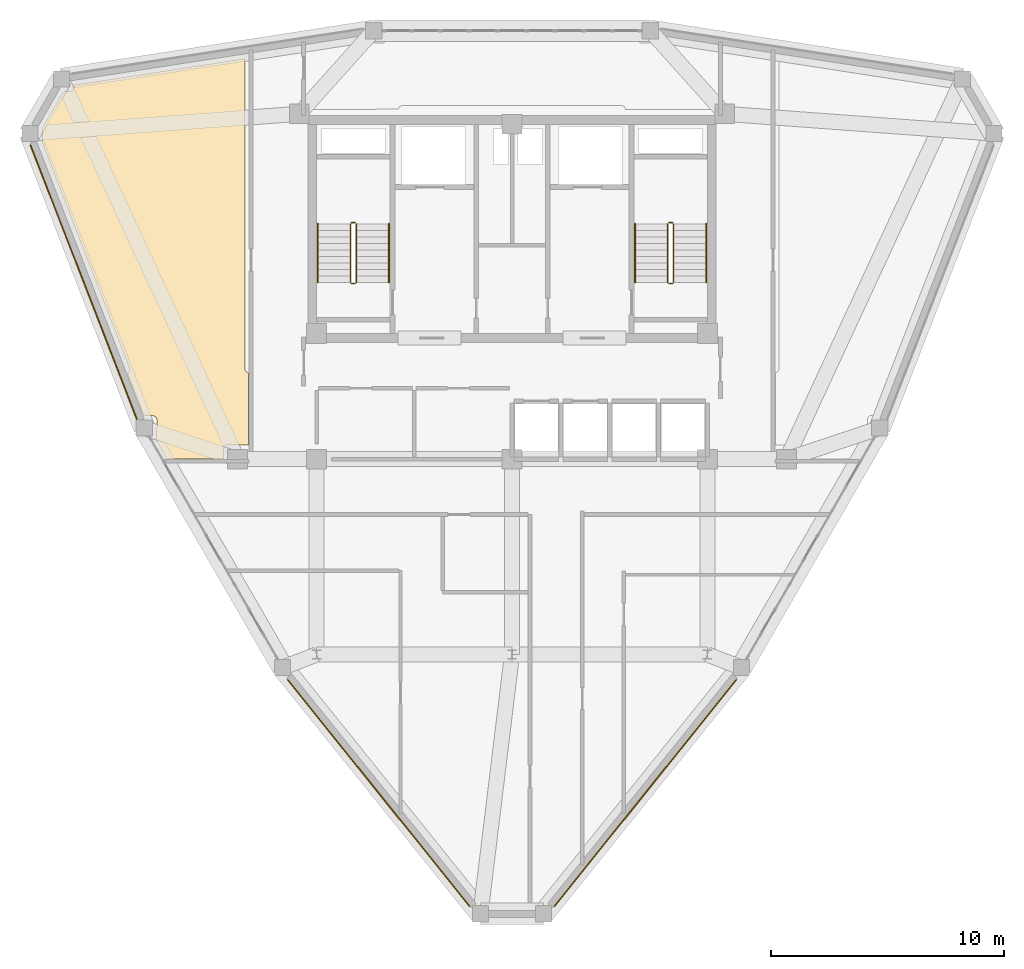
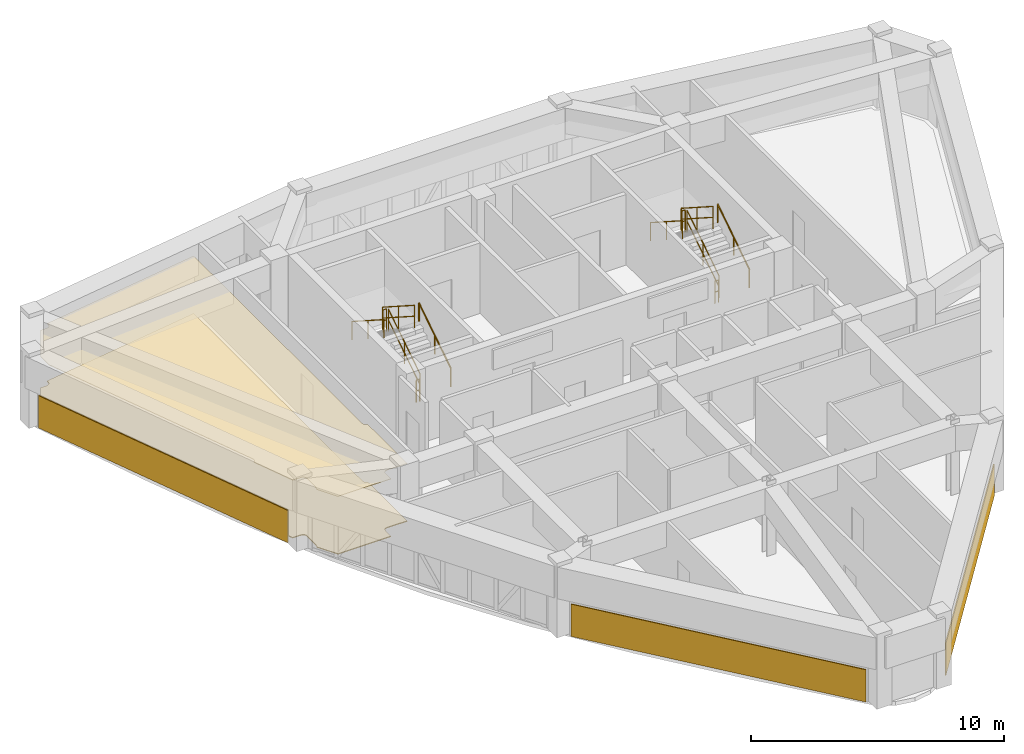
# One storey, part 13 of 14: 12 railings, 5 coverings.
"""IFC4 building model written with IfcOpenShell, lengths in metres."""

from ifc_helpers import new_model, si_unit, derived_unit, direction, frame, origin, origin_2d, place, context, subcontext, project, spatial, polyline, circle, outline, extrude, material, layer, layer_set, type_object, element, save


model = new_model("IFC4")

# Units and contexts
model_context = context("Model", 3, precision=1e-05, world=origin(), true_north=direction((0.0, 1.0)))
body_context = subcontext(model_context, "Body", "Model", "MODEL_VIEW")
ifc_project = project(units=[si_unit("LENGTHUNIT", "METRE"), si_unit("AREAUNIT", "SQUARE_METRE"), si_unit("VOLUMEUNIT", "CUBIC_METRE"), si_unit("PLANEANGLEUNIT", "RADIAN"), si_unit("MASSUNIT", "GRAM", prefix="KILO"), derived_unit("THERMALTRANSMITTANCEUNIT", [(si_unit("POWERUNIT", "WATT"), 1), (si_unit("LENGTHUNIT", "METRE"), -2), (si_unit("THERMODYNAMICTEMPERATUREUNIT", "KELVIN"), -1)])], contexts=[model_context])

# Site, building, storey
site_placement = place(None, origin())
site = spatial("IfcSite", under=ifc_project, at=site_placement, CompositionType="ELEMENT")
building_placement = place(site_placement, origin())
building = spatial("IfcBuilding", under=site, at=building_placement, Name="Korsvarv Bourse and Concert Hall", CompositionType="ELEMENT")
storey_placement = place(building_placement, frame((0.0, 0.0, 253.800048828125)))
storey = spatial("IfcBuildingStorey", under=building, at=storey_placement, Name="L66", CompositionType="ELEMENT", Elevation=253.800048828125)

# Coverings
ifc_material_1 = material(Name="Perforated mineral-wool and birch acoustic baffle ceiling", Category="wood")
ifc_layer_1 = layer(ifc_material_1, 0.02490234375)
ifc_layer_set_1 = layer_set([ifc_layer_1], Name="Perforated mineral-wool and birch acoustic baffle ceiling")
covering_type_1 = type_object("IfcCoveringType", Name="COV-CEIL-1", PredefinedType="CEILING", material=ifc_layer_set_1)
covering_1_placement = place(storey_placement, frame((0.0, 0.0, 2.7900390625)))
element("IfcCovering", 1, at=covering_1_placement, inside=storey, type_object=covering_type_1, Name="L66 acoustic baffle ceiling 1", PredefinedType="CEILING", context=body_context, shape_type="SweptSolid", body=[
    extrude(outline(polyline([(15.80078125, 46.001708984375), (15.8046875, 46.036376953125), (15.814208984375, 46.653076171875), (16.71240234375, 48.208984375), (16.9814453125, 48.208984375), (17.015625, 48.21240234375), (17.048583984375, 48.221923828125), (17.079345703125, 48.23779296875), (17.106201171875, 48.25927734375), (17.128662109375, 48.285400390625), (17.145751953125, 48.315185546875), (17.15673828125, 48.347900390625), (17.161376953125, 48.3818359375), (17.16552734375, 48.4873046875), (24.52001953125, 49.623779296875), (24.52001953125, 36.2900390625), (24.523681640625, 36.25390625), (24.53466796875, 36.218994140625), (24.55224609375, 36.187255859375), (24.575927734375, 36.15966796875), (24.604736328125, 36.13720703125), (24.637451171875, 36.12109375), (24.672607421875, 36.112060546875), (24.679931640625, 32.9990234375), (24.654541015625, 33.00390625), (23.777099609375, 33.014892578125), (23.741943359375, 33.011962890625), (23.708251953125, 33.002197265625), (23.677001953125, 32.986083984375), (23.6494140625, 32.964111328125), (23.626708984375, 32.937255859375), (23.60986328125, 32.906494140625), (23.59912109375, 32.872802734375), (23.594970703125, 32.837890625), (23.587890625, 32.409912109375), (21.243896484375, 32.409912109375), (21.206787109375, 32.40625), (21.173095703125, 32.3955078125), (20.6748046875, 33.258544921875), (20.689208984375, 33.276611328125), (20.705810546875, 33.30712890625), (20.71630859375, 33.340576171875), (20.72021484375, 33.375244140625), (20.730224609375, 34.085205078125), (20.727294921875, 34.120361328125), (20.7177734375, 34.154052734375), (20.70166015625, 34.185302734375), (20.6796875, 34.212890625), (20.65283203125, 34.235595703125), (20.622314453125, 34.252685546875), (20.5888671875, 34.263671875), (20.553955078125, 34.267822265625), (20.1748046875, 34.275390625), (19.45849609375, 36.1201171875), (19.480224609375, 36.1337890625), (19.506591796875, 36.157958984375), (19.52783203125, 36.18701171875), (19.54296875, 36.2197265625), (19.551025390625, 36.2548828125), (19.55224609375, 36.290771484375), (19.546142578125, 36.326171875), (15.80078125, 46.001708984375)])), origin(), (0.0, 0.0, 1.0), 0.02490234375),
])
ifc_material_2 = material(Name="Warm iron-oxide extruded terracotta rainscreen tile", Category="ceramic")
ifc_layer_2 = layer(ifc_material_2, 0.044921875)
ifc_layer_set_2 = layer_set([ifc_layer_2], Name="Warm iron-oxide extruded terracotta rainscreen tile")
covering_type_2 = type_object("IfcCoveringType", Name="COV-CLD-TC", PredefinedType="CLADDING", material=ifc_layer_set_2)
covering_2_placement = place(storey_placement, origin())
element("IfcCovering", 2, at=covering_2_placement, inside=storey, type_object=covering_type_2, Name="L66 fluted terracotta cladding panel EW-L66-B06", PredefinedType="CLADDING", context=body_context, shape_type="SweptSolid", body=[
    extrude(outline(polyline([(15.315673828125, 45.920654296875), (19.897705078125, 34.118408203125), (19.855712890625, 34.102294921875), (15.273681640625, 45.904296875), (15.315673828125, 45.920654296875)])), origin(), (0.0, 0.0, 1.0), 1.56005859375),
])
covering_3_placement = place(storey_placement, origin())
element("IfcCovering", 3, at=covering_3_placement, inside=storey, type_object=covering_type_2, Name="L66 fluted terracotta cladding panel EW-L66-B08", PredefinedType="CLADDING", context=body_context, shape_type="SweptSolid", body=[
    extrude(outline(polyline([(26.3662109375, 22.9375), (34.202880859375, 13.184814453125), (34.167724609375, 13.156494140625), (26.3310546875, 22.909423828125), (26.3662109375, 22.9375)])), origin(), (0.0, 0.0, 1.0), 1.56005859375),
])
covering_4_placement = place(storey_placement, origin())
element("IfcCovering", 4, at=covering_4_placement, inside=storey, type_object=covering_type_2, Name="L66 fluted terracotta cladding panel EW-L66-B10", PredefinedType="CLADDING", context=body_context, shape_type="SweptSolid", body=[
    extrude(outline(polyline([(37.797119140625, 13.184814453125), (45.6337890625, 22.9375), (45.6689453125, 22.909423828125), (37.832275390625, 13.156494140625), (37.797119140625, 13.184814453125)])), origin(), (0.0, 0.0, 1.0), 1.56005859375),
])
ifc_material_3 = material(Name="Calcium-sulphate raised access trading floor with Nordic oak top", Category="wood")
ifc_layer_3 = layer(ifc_material_3, 0.0400390625)
ifc_layer_set_3 = layer_set([ifc_layer_3], Name="Calcium-sulphate raised access trading floor with Nordic oak top")
covering_type_3 = type_object("IfcCoveringType", Name="COV-FLOR-1", PredefinedType="FLOORING", material=ifc_layer_set_3)
covering_5_placement = place(storey_placement, origin())
element("IfcCovering", 5, at=covering_5_placement, inside=storey, type_object=covering_type_3, Name="L66 raised access oak floor finish 1", PredefinedType="FLOORING", context=body_context, shape_type="SweptSolid", body=[
    extrude(outline(polyline([(15.80078125, 46.001708984375), (15.8046875, 46.036376953125), (15.814208984375, 46.653076171875), (16.71240234375, 48.208984375), (16.9814453125, 48.208984375), (17.015625, 48.21240234375), (17.048583984375, 48.221923828125), (17.079345703125, 48.23779296875), (17.106201171875, 48.25927734375), (17.128662109375, 48.285400390625), (17.145751953125, 48.315185546875), (17.15673828125, 48.347900390625), (17.161376953125, 48.3818359375), (17.16552734375, 48.4873046875), (24.52001953125, 49.623779296875), (24.52001953125, 36.2900390625), (24.523681640625, 36.25390625), (24.53466796875, 36.218994140625), (24.55224609375, 36.187255859375), (24.575927734375, 36.15966796875), (24.604736328125, 36.13720703125), (24.637451171875, 36.12109375), (24.672607421875, 36.112060546875), (24.679931640625, 32.9990234375), (24.654541015625, 33.00390625), (23.777099609375, 33.014892578125), (23.741943359375, 33.011962890625), (23.708251953125, 33.002197265625), (23.677001953125, 32.986083984375), (23.6494140625, 32.964111328125), (23.626708984375, 32.937255859375), (23.60986328125, 32.906494140625), (23.59912109375, 32.872802734375), (23.594970703125, 32.837890625), (23.587890625, 32.409912109375), (21.243896484375, 32.409912109375), (21.206787109375, 32.40625), (21.173095703125, 32.3955078125), (20.6748046875, 33.258544921875), (20.689208984375, 33.276611328125), (20.705810546875, 33.30712890625), (20.71630859375, 33.340576171875), (20.72021484375, 33.375244140625), (20.730224609375, 34.085205078125), (20.727294921875, 34.120361328125), (20.7177734375, 34.154052734375), (20.70166015625, 34.185302734375), (20.6796875, 34.212890625), (20.65283203125, 34.235595703125), (20.622314453125, 34.252685546875), (20.5888671875, 34.263671875), (20.553955078125, 34.267822265625), (20.1748046875, 34.275390625), (19.45849609375, 36.1201171875), (19.480224609375, 36.1337890625), (19.506591796875, 36.157958984375), (19.52783203125, 36.18701171875), (19.54296875, 36.2197265625), (19.551025390625, 36.2548828125), (19.55224609375, 36.290771484375), (19.546142578125, 36.326171875), (15.80078125, 46.001708984375)])), origin(), (0.0, 0.0, 1.0), 0.0400390625),
])

# Railings
ifc_material_4 = material(Name="Painted Steel S355 stair well guardrail", Category="steel")
railing_type_1 = type_object("IfcRailingType", Name="RL-ST-GRD", PredefinedType="GUARDRAIL", material=ifc_material_4)
railing_1_placement = place(storey_placement, frame((29.31005859375, 40.0, 0.179931640625)))
element("IfcRailing", 6, at=railing_1_placement, inside=storey, type_object=railing_type_1, Name="L66 ST-T1 stair guard 1", PredefinedType="GUARDRAIL", context=body_context, shape_type="SweptSolid", body=[
    extrude(circle(Radius=0.02392578125, at=origin_2d()), frame((0.0, 0.0, 1.076171875), z_axis=(0.0, 0.841162588446, 0.540782303519), x_axis=(-1.0, 0.0, 0.0)), (0.0, 0.0, 1.0), 2.995849609375),
    extrude(circle(Radius=0.02392578125, at=origin_2d()), frame((0.0, 0.0, 0.550048828125), z_axis=(0.0, 0.841162588446, 0.540782303519), x_axis=(-1.0, 0.0, 0.0)), (0.0, 0.0, 1.0), 2.995849609375),
    extrude(circle(Radius=0.02099609375, at=origin_2d()), origin(), (0.0, 0.0, 1.0), 1.052001953125),
    extrude(circle(Radius=0.02099609375, at=origin_2d()), frame((0.0, 1.260009765625, 0.81005859375)), (0.0, 0.0, 1.0), 1.052001953125),
    extrude(circle(Radius=0.02099609375, at=origin_2d()), frame((0.0, 2.52001953125, 1.6201171875)), (0.0, 0.0, 1.0), 1.052001953125),
])
railing_2_placement = place(storey_placement, frame((29.260009765625, 42.570068359375, 1.800048828125)))
element("IfcRailing", 7, at=railing_2_placement, inside=storey, type_object=railing_type_1, Name="L66 ST-T1 stair guard 2", PredefinedType="GUARDRAIL", context=body_context, shape_type="SweptSolid", body=[
    extrude(circle(Radius=0.02392578125, at=origin_2d()), frame((0.0, 0.0, 1.076171875), z_axis=(-1.0, 0.0, 0.0), x_axis=(0.0, -1.0, 0.0)), (0.0, 0.0, 1.0), 0.159912109375),
    extrude(circle(Radius=0.02392578125, at=origin_2d()), frame((0.0, 0.0, 0.550048828125), z_axis=(-1.0, 0.0, 0.0), x_axis=(0.0, -1.0, 0.0)), (0.0, 0.0, 1.0), 0.159912109375),
    extrude(circle(Radius=0.02099609375, at=origin_2d()), origin(), (0.0, 0.0, 1.0), 1.052001953125),
    extrude(circle(Radius=0.02099609375, at=origin_2d()), frame((-0.159912109375, 0.0, 0.0)), (0.0, 0.0, 1.0), 1.052001953125),
])
railing_3_placement = place(storey_placement, frame((29.050048828125, 42.52001953125, 1.97998046875)))
element("IfcRailing", 8, at=railing_3_placement, inside=storey, type_object=railing_type_1, Name="L66 ST-T1 stair guard 3", PredefinedType="GUARDRAIL", context=body_context, shape_type="SweptSolid", body=[
    extrude(circle(Radius=0.02392578125, at=origin_2d()), frame((0.0, 0.0, 1.076171875), z_axis=(0.0, -0.841199657755, 0.540724639528), x_axis=(1.0, 0.0, 0.0)), (0.0, 0.0, 1.0), 2.995849609375),
    extrude(circle(Radius=0.02392578125, at=origin_2d()), frame((0.0, 0.0, 0.550048828125), z_axis=(0.0, -0.841199657755, 0.540724639528), x_axis=(1.0, 0.0, 0.0)), (0.0, 0.0, 1.0), 2.995849609375),
    extrude(circle(Radius=0.02099609375, at=origin_2d()), origin(), (0.0, 0.0, 1.0), 1.052001953125),
    extrude(circle(Radius=0.02099609375, at=origin_2d()), frame((0.0, -1.260009765625, 0.81005859375)), (0.0, 0.0, 1.0), 1.052001953125),
    extrude(circle(Radius=0.02099609375, at=origin_2d()), frame((0.0, -2.52001953125, 1.619873046875)), (0.0, 0.0, 1.0), 1.052001953125),
])
railing_4_placement = place(storey_placement, frame((29.260009765625, 39.949951171875, 0.0)))
element("IfcRailing", 9, at=railing_4_placement, inside=storey, type_object=railing_type_1, Name="L66 ST-T1 stair guard 4", PredefinedType="GUARDRAIL", context=body_context, shape_type="SweptSolid", body=[
    extrude(circle(Radius=0.02392578125, at=origin_2d()), frame((0.0, 0.0, 1.076171875), z_axis=(-1.0, 0.0, 0.0), x_axis=(0.0, -1.0, 0.0)), (0.0, 0.0, 1.0), 0.159912109375),
    extrude(circle(Radius=0.02392578125, at=origin_2d()), frame((0.0, 0.0, 0.550048828125), z_axis=(-1.0, 0.0, 0.0), x_axis=(0.0, -1.0, 0.0)), (0.0, 0.0, 1.0), 0.159912109375),
    extrude(circle(Radius=0.02099609375, at=origin_2d()), origin(), (0.0, 0.0, 1.0), 1.052001953125),
    extrude(circle(Radius=0.02099609375, at=origin_2d()), frame((-0.159912109375, 0.0, 0.0)), (0.0, 0.0, 1.0), 1.052001953125),
])
railing_5_placement = place(storey_placement, frame((42.949951171875, 40.0, 0.179931640625)))
element("IfcRailing", 10, at=railing_5_placement, inside=storey, type_object=railing_type_1, Name="L66 ST-T2 stair guard 1", PredefinedType="GUARDRAIL", context=body_context, shape_type="SweptSolid", body=[
    extrude(circle(Radius=0.02392578125, at=origin_2d()), frame((0.0, 0.0, 1.076171875), z_axis=(0.0, 0.841162588446, 0.540782303519), x_axis=(-1.0, 0.0, 0.0)), (0.0, 0.0, 1.0), 2.995849609375),
    extrude(circle(Radius=0.02392578125, at=origin_2d()), frame((0.0, 0.0, 0.550048828125), z_axis=(0.0, 0.841162588446, 0.540782303519), x_axis=(-1.0, 0.0, 0.0)), (0.0, 0.0, 1.0), 2.995849609375),
    extrude(circle(Radius=0.02099609375, at=origin_2d()), origin(), (0.0, 0.0, 1.0), 1.052001953125),
    extrude(circle(Radius=0.02099609375, at=origin_2d()), frame((0.0, 1.260009765625, 0.81005859375)), (0.0, 0.0, 1.0), 1.052001953125),
    extrude(circle(Radius=0.02099609375, at=origin_2d()), frame((0.0, 2.52001953125, 1.6201171875)), (0.0, 0.0, 1.0), 1.052001953125),
])
railing_6_placement = place(storey_placement, frame((42.89990234375, 42.570068359375, 1.800048828125)))
element("IfcRailing", 11, at=railing_6_placement, inside=storey, type_object=railing_type_1, Name="L66 ST-T2 stair guard 2", PredefinedType="GUARDRAIL", context=body_context, shape_type="SweptSolid", body=[
    extrude(circle(Radius=0.02392578125, at=origin_2d()), frame((0.0, 0.0, 1.076171875), z_axis=(-1.0, 0.0, 0.0), x_axis=(0.0, -1.0, 0.0)), (0.0, 0.0, 1.0), 0.159912109375),
    extrude(circle(Radius=0.02392578125, at=origin_2d()), frame((0.0, 0.0, 0.550048828125), z_axis=(-1.0, 0.0, 0.0), x_axis=(0.0, -1.0, 0.0)), (0.0, 0.0, 1.0), 0.159912109375),
    extrude(circle(Radius=0.02099609375, at=origin_2d()), origin(), (0.0, 0.0, 1.0), 1.052001953125),
    extrude(circle(Radius=0.02099609375, at=origin_2d()), frame((-0.159912109375, 0.0, 0.0)), (0.0, 0.0, 1.0), 1.052001953125),
])
railing_7_placement = place(storey_placement, frame((42.68994140625, 42.52001953125, 1.97998046875)))
element("IfcRailing", 12, at=railing_7_placement, inside=storey, type_object=railing_type_1, Name="L66 ST-T2 stair guard 3", PredefinedType="GUARDRAIL", context=body_context, shape_type="SweptSolid", body=[
    extrude(circle(Radius=0.02392578125, at=origin_2d()), frame((0.0, 0.0, 1.076171875), z_axis=(0.0, -0.841199657755, 0.540724639528), x_axis=(1.0, 0.0, 0.0)), (0.0, 0.0, 1.0), 2.995849609375),
    extrude(circle(Radius=0.02392578125, at=origin_2d()), frame((0.0, 0.0, 0.550048828125), z_axis=(0.0, -0.841199657755, 0.540724639528), x_axis=(1.0, 0.0, 0.0)), (0.0, 0.0, 1.0), 2.995849609375),
    extrude(circle(Radius=0.02099609375, at=origin_2d()), origin(), (0.0, 0.0, 1.0), 1.052001953125),
    extrude(circle(Radius=0.02099609375, at=origin_2d()), frame((0.0, -1.260009765625, 0.81005859375)), (0.0, 0.0, 1.0), 1.052001953125),
    extrude(circle(Radius=0.02099609375, at=origin_2d()), frame((0.0, -2.52001953125, 1.619873046875)), (0.0, 0.0, 1.0), 1.052001953125),
])
railing_8_placement = place(storey_placement, frame((42.89990234375, 39.949951171875, 0.0)))
element("IfcRailing", 13, at=railing_8_placement, inside=storey, type_object=railing_type_1, Name="L66 ST-T2 stair guard 4", PredefinedType="GUARDRAIL", context=body_context, shape_type="SweptSolid", body=[
    extrude(circle(Radius=0.02392578125, at=origin_2d()), frame((0.0, 0.0, 1.076171875), z_axis=(-1.0, 0.0, 0.0), x_axis=(0.0, -1.0, 0.0)), (0.0, 0.0, 1.0), 0.159912109375),
    extrude(circle(Radius=0.02392578125, at=origin_2d()), frame((0.0, 0.0, 0.550048828125), z_axis=(-1.0, 0.0, 0.0), x_axis=(0.0, -1.0, 0.0)), (0.0, 0.0, 1.0), 0.159912109375),
    extrude(circle(Radius=0.02099609375, at=origin_2d()), origin(), (0.0, 0.0, 1.0), 1.052001953125),
    extrude(circle(Radius=0.02099609375, at=origin_2d()), frame((-0.159912109375, 0.0, 0.0)), (0.0, 0.0, 1.0), 1.052001953125),
])
ifc_material_5 = material(Name="Brushed stainless Steel S355 tubular handrail", Category="steel")
railing_type_2 = type_object("IfcRailingType", Name="RL-ST-HND", PredefinedType="HANDRAIL", material=ifc_material_5)
railing_9_placement = place(storey_placement, frame((30.7099609375, 40.0, 0.179931640625)))
element("IfcRailing", 14, at=railing_9_placement, inside=storey, type_object=railing_type_2, Name="L66 ST-T1 stair handrail 1", PredefinedType="HANDRAIL", context=body_context, shape_type="SweptSolid", body=[
    extrude(circle(Radius=0.02392578125, at=origin_2d()), frame((0.0, 0.0, 0.8759765625), z_axis=(0.0, 0.841162588446, 0.540782303519), x_axis=(-1.0, 0.0, 0.0)), (0.0, 0.0, 1.0), 2.995849609375),
    extrude(circle(Radius=0.02099609375, at=origin_2d()), origin(), (0.0, 0.0, 1.0), 0.851806640625),
    extrude(circle(Radius=0.02099609375, at=origin_2d()), frame((0.0, 1.260009765625, 0.81005859375)), (0.0, 0.0, 1.0), 0.851806640625),
    extrude(circle(Radius=0.02099609375, at=origin_2d()), frame((0.0, 2.52001953125, 1.6201171875)), (0.0, 0.0, 1.0), 0.851806640625),
])
railing_10_placement = place(storey_placement, frame((27.64990234375, 42.52001953125, 1.97998046875)))
element("IfcRailing", 15, at=railing_10_placement, inside=storey, type_object=railing_type_2, Name="L66 ST-T1 stair handrail 2", PredefinedType="HANDRAIL", context=body_context, shape_type="SweptSolid", body=[
    extrude(circle(Radius=0.02392578125, at=origin_2d()), frame((0.0, 0.0, 0.8759765625), z_axis=(0.0, -0.841199657755, 0.540724639528), x_axis=(1.0, 0.0, 0.0)), (0.0, 0.0, 1.0), 2.995849609375),
    extrude(circle(Radius=0.02099609375, at=origin_2d()), origin(), (0.0, 0.0, 1.0), 0.851806640625),
    extrude(circle(Radius=0.02099609375, at=origin_2d()), frame((0.0, -1.260009765625, 0.81005859375)), (0.0, 0.0, 1.0), 0.851806640625),
    extrude(circle(Radius=0.02099609375, at=origin_2d()), frame((0.0, -2.52001953125, 1.619873046875)), (0.0, 0.0, 1.0), 0.851806640625),
])
railing_11_placement = place(storey_placement, frame((44.35009765625, 40.0, 0.179931640625)))
element("IfcRailing", 16, at=railing_11_placement, inside=storey, type_object=railing_type_2, Name="L66 ST-T2 stair handrail 1", PredefinedType="HANDRAIL", context=body_context, shape_type="SweptSolid", body=[
    extrude(circle(Radius=0.02392578125, at=origin_2d()), frame((0.0, 0.0, 0.8759765625), z_axis=(0.0, 0.841162588446, 0.540782303519), x_axis=(-1.0, 0.0, 0.0)), (0.0, 0.0, 1.0), 2.995849609375),
    extrude(circle(Radius=0.02099609375, at=origin_2d()), origin(), (0.0, 0.0, 1.0), 0.851806640625),
    extrude(circle(Radius=0.02099609375, at=origin_2d()), frame((0.0, 1.260009765625, 0.81005859375)), (0.0, 0.0, 1.0), 0.851806640625),
    extrude(circle(Radius=0.02099609375, at=origin_2d()), frame((0.0, 2.52001953125, 1.6201171875)), (0.0, 0.0, 1.0), 0.851806640625),
])
railing_12_placement = place(storey_placement, frame((41.2900390625, 42.52001953125, 1.97998046875)))
element("IfcRailing", 17, at=railing_12_placement, inside=storey, type_object=railing_type_2, Name="L66 ST-T2 stair handrail 2", PredefinedType="HANDRAIL", context=body_context, shape_type="SweptSolid", body=[
    extrude(circle(Radius=0.02392578125, at=origin_2d()), frame((0.0, 0.0, 0.8759765625), z_axis=(0.0, -0.841199657755, 0.540724639528), x_axis=(1.0, 0.0, 0.0)), (0.0, 0.0, 1.0), 2.995849609375),
    extrude(circle(Radius=0.02099609375, at=origin_2d()), origin(), (0.0, 0.0, 1.0), 0.851806640625),
    extrude(circle(Radius=0.02099609375, at=origin_2d()), frame((0.0, -1.260009765625, 0.81005859375)), (0.0, 0.0, 1.0), 0.851806640625),
    extrude(circle(Radius=0.02099609375, at=origin_2d()), frame((0.0, -2.52001953125, 1.619873046875)), (0.0, 0.0, 1.0), 0.851806640625),
])

save(model, "model.ifc")
